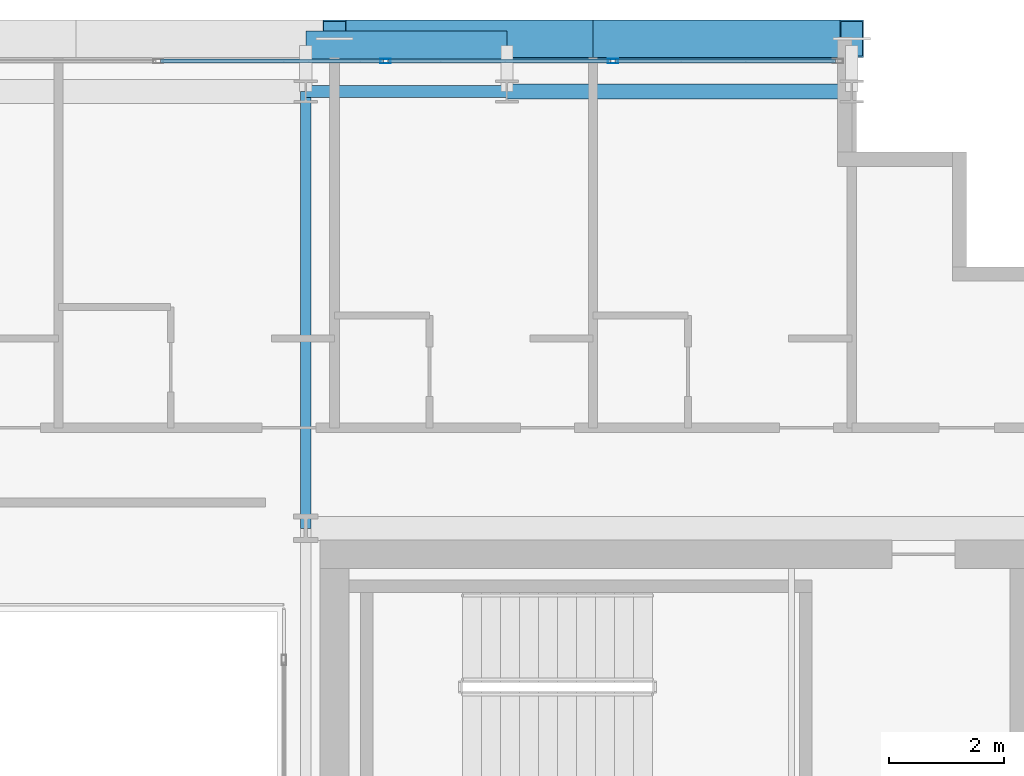
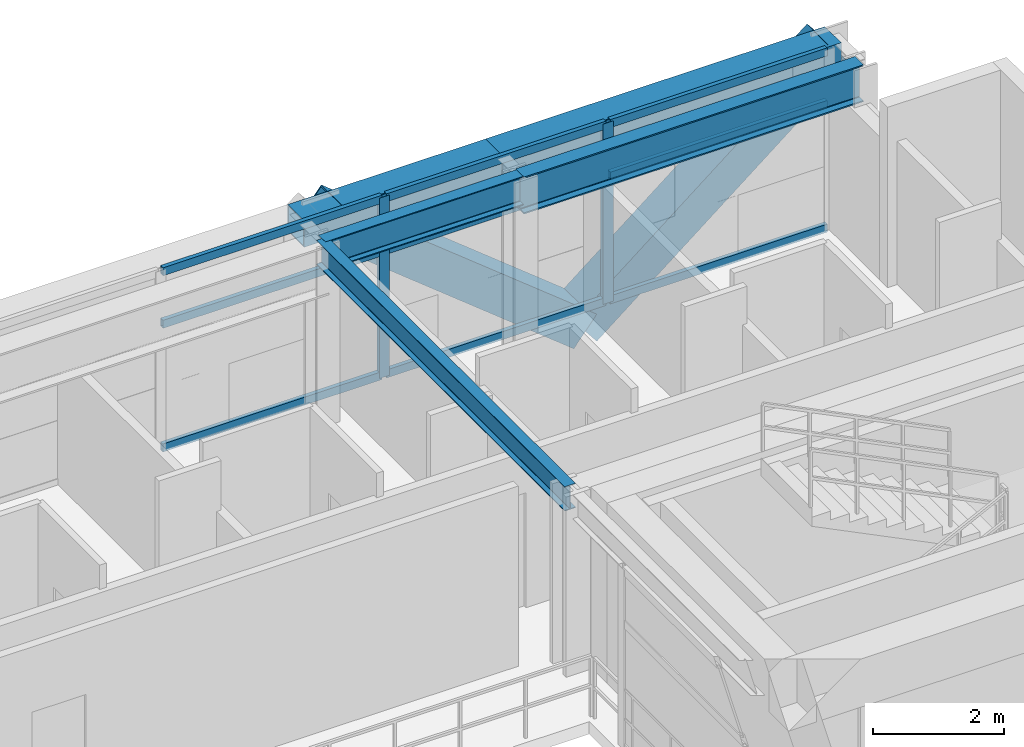
# One storey, part 22 of 38: 13 members, 5 beams, 1 element without a shape of its own.
"""IFC4 building model written with IfcOpenShell, lengths in metres."""

from ifc_helpers import new_model, si_unit, direction, frame, origin, origin_2d, place, context, subcontext, project, spatial, hollow_rectangle, i_section, extrude, source, transform, mapped, material, layer, layer_set, material_profile, profile_set, type_object, element, aggregate, save


model = new_model("IFC4")

# Units and contexts
model_context = context("Model", 3, precision=1e-05, world=origin(), true_north=direction((0.0, 1.0)))
body_context = subcontext(model_context, "Body", "Model", "MODEL_VIEW")
ifc_project = project(units=[si_unit("LENGTHUNIT", "METRE"), si_unit("AREAUNIT", "SQUARE_METRE"), si_unit("VOLUMEUNIT", "CUBIC_METRE"), si_unit("PLANEANGLEUNIT", "RADIAN"), si_unit("MASSUNIT", "GRAM", prefix="KILO")], contexts=[model_context])

# Site, building, storey
site_placement = place(None, origin())
site = spatial("IfcSite", under=ifc_project, at=site_placement, CompositionType="ELEMENT")
building_placement = place(site_placement, origin())
building = spatial("IfcBuilding", under=site, at=building_placement, Name="Ocotamira Hotel", CompositionType="ELEMENT")
storey_placement = place(building_placement, frame((0.0, 0.0, 170.39990234375)))
storey = spatial("IfcBuildingStorey", under=building, at=storey_placement, Name="L42", CompositionType="ELEMENT", Elevation=170.39990234375)

# Beams
ifc_material_1 = material(Name="Steel ASTM A992 Grade 50", Category="steel")
ifc_material_profile_1 = material_profile(ifc_material_1, i_section(OverallWidth=0.256103515625, OverallDepth=0.693115234375, WebThickness=0.014404296875, FlangeThickness=0.023681640625, FilletRadius=0.01611328125, at=origin_2d()), Name="W27X114")
ifc_profile_set_1 = profile_set([ifc_material_profile_1], Name="Steel ASTM A992 Grade 50")
beam_type_1 = type_object("IfcBeamType", Name="BM-PRIM-W27X114", PredefinedType="BEAM", material=ifc_profile_set_1)
shared_shape_1 = source(origin(), body_context, "Body", "SweptSolid", [
    extrude(i_section(OverallWidth=0.256103515625, OverallDepth=0.693115234375, WebThickness=0.014404296875, FlangeThickness=0.023681640625, FilletRadius=0.01611328125, at=origin_2d()), origin(), (0.0, 0.0, 1.0), 6.0),
])
beam_1_placement = place(storey_placement, frame((44.0, 45.050048828125, 3.023681640625), z_axis=(1.0, 0.0, 0.0), x_axis=(0.0, 1.0, 0.0)))
element("IfcBeam", 1, at=beam_1_placement, inside=storey, type_object=beam_type_1, Name="L42 Girder Y45.05 X44-50", PredefinedType="BEAM", context=body_context, shape_type="MappedRepresentation", body=[
    mapped(shared_shape_1, transform((0.0, 0.0, 0.0), scale=1.0)),
])
ifc_material_profile_2 = material_profile(ifc_material_1, i_section(OverallWidth=0.2099609375, OverallDepth=0.537109375, WebThickness=0.010986328125, FlangeThickness=0.017333984375, FilletRadius=0.012939453125, at=origin_2d()), Name="W21X68")
ifc_profile_set_2 = profile_set([ifc_material_profile_2], Name="Steel ASTM A992 Grade 50")
beam_type_2 = type_object("IfcBeamType", Name="BM-SEC-W21X68", PredefinedType="JOIST", material=ifc_profile_set_2)
shared_shape_2 = source(origin(), body_context, "Body", "SweptSolid", [
    extrude(i_section(OverallWidth=0.2099609375, OverallDepth=0.537109375, WebThickness=0.010986328125, FlangeThickness=0.017333984375, FilletRadius=0.012939453125, at=origin_2d()), origin(), (0.0, 0.0, 1.0), 3.5),
])
beam_2_placement = place(storey_placement, frame((40.5, 45.050048828125, 3.1015625), z_axis=(1.0, 0.0, 0.0), x_axis=(0.0, 1.0, 0.0)))
element("IfcBeam", 2, at=beam_2_placement, inside=storey, type_object=beam_type_2, Name="L42 Girder Y45.05 X40.5-44", PredefinedType="JOIST", context=body_context, shape_type="MappedRepresentation", body=[
    mapped(shared_shape_2, transform((0.0, 0.0, 0.0), scale=1.0)),
])
ifc_material_2 = material(Name="Steel ASTM A500 Grade C", Category="steel")
ifc_material_profile_3 = material_profile(ifc_material_2, hollow_rectangle(XDim=0.5, YDim=0.5, WallThickness=0.02001953125, at=origin_2d()), Name="HSS500X500X20")
ifc_profile_set_3 = profile_set([ifc_material_profile_3], Name="Steel ASTM A500 Grade C")
beam_type_3 = type_object("IfcBeamType", Name="BM-SPAN-HSS500", PredefinedType="USERDEFINED", material=ifc_profile_set_3)
shared_shape_3 = source(origin(), body_context, "Body", "SweptSolid", [
    extrude(hollow_rectangle(XDim=0.5, YDim=0.5, WallThickness=0.02001953125, at=origin_2d()), origin(), (0.0, 0.0, 1.0), 6.0),
])
beam_3_placement = place(storey_placement, frame((44.0, 45.85009765625, 3.1201171875), z_axis=(1.0, 0.0, 0.0), x_axis=(0.0, 1.0, 0.0)))
element("IfcBeam", 3, at=beam_3_placement, inside=storey, type_object=beam_type_3, Name="L42 Edge Spandrel N X44-50", ObjectType="SPANDREL", PredefinedType="USERDEFINED", context=body_context, shape_type="MappedRepresentation", body=[
    mapped(shared_shape_3, transform((0.0, 0.0, 0.0), scale=1.0)),
])
shared_shape_4 = source(origin(), body_context, "Body", "SweptSolid", [
    extrude(hollow_rectangle(XDim=0.5, YDim=0.5, WallThickness=0.02001953125, at=origin_2d()), origin(), (0.0, 0.0, 1.0), 3.5),
])
beam_4_placement = place(storey_placement, frame((40.5, 45.85009765625, 3.1201171875), z_axis=(1.0, 0.0, 0.0), x_axis=(0.0, 1.0, 0.0)))
element("IfcBeam", 4, at=beam_4_placement, inside=storey, type_object=beam_type_3, Name="L42 Edge Spandrel N X40.5-44", ObjectType="SPANDREL", PredefinedType="USERDEFINED", context=body_context, shape_type="MappedRepresentation", body=[
    mapped(shared_shape_4, transform((0.0, 0.0, 0.0), scale=1.0)),
])
ifc_material_profile_4 = material_profile(ifc_material_1, i_section(OverallWidth=0.18994140625, OverallDepth=0.45703125, WebThickness=0.009033203125, FlangeThickness=0.014404296875, FilletRadius=0.010009765625, at=origin_2d()), Name="W18X50")
ifc_profile_set_4 = profile_set([ifc_material_profile_4], Name="Steel ASTM A992 Grade 50")
beam_type_4 = type_object("IfcBeamType", Name="BM-SEC-W18X50", PredefinedType="JOIST", material=ifc_profile_set_4)
shared_shape_5 = source(origin(), body_context, "Body", "SweptSolid", [
    extrude(i_section(OverallWidth=0.18994140625, OverallDepth=0.45703125, WebThickness=0.009033203125, FlangeThickness=0.014404296875, FilletRadius=0.010009765625, at=origin_2d()), origin(), (0.0, 0.0, 1.0), 7.60009765625),
])
beam_5_placement = place(storey_placement, frame((40.5, 37.449951171875, 3.1416015625), z_axis=(0.0, 1.0, 0.0), x_axis=(-1.0, 0.0, 0.0)))
element("IfcBeam", 5, at=beam_5_placement, inside=storey, type_object=beam_type_4, Name="L42 Beam X40.5 Y37.45-45.05", PredefinedType="JOIST", context=body_context, shape_type="MappedRepresentation", body=[
    mapped(shared_shape_5, transform((0.0, 0.0, 0.0), scale=1.0)),
])

# Members
ifc_material_3 = material(Name="Pale-metal coated steel ASTM A913 Grade 65", Category="steel")
ifc_material_profile_5 = material_profile(ifc_material_3, hollow_rectangle(XDim=0.64990234375, YDim=0.64990234375, WallThickness=0.02197265625, at=origin_2d()), Name="BOX650X650X22")
ifc_profile_set_5 = profile_set([ifc_material_profile_5], Name="Pale-metal coated steel ASTM A913 Grade 65")
member_type_1 = type_object("IfcMemberType", Name="MEM-EXO-BOX650", PredefinedType="BRACE", material=ifc_profile_set_5)
shared_shape_6 = source(origin(), body_context, "Body", "SweptSolid", [
    extrude(hollow_rectangle(XDim=0.64990234375, YDim=0.64990234375, WallThickness=0.02197265625, at=origin_2d()), origin(), (0.0, 0.0, 1.0), 5.762939453125),
])
for number, where, z_axis, x_axis, name in (
    (6, (45.5, 45.969970703125, -0.47998046875), (-0.780860543151, 0.0, 0.624705380279), (0.0, -1.0, 0.0), "L42 Exoskeleton Diagrid N3.1"),
    (7, (45.5, 45.969970703125, -0.47998046875), (0.780860543151, 0.0, 0.624705380279), (0.0, 1.0, 0.0), "L42 Exoskeleton Diagrid N3.2"),
):
    element("IfcMember", number, at=place(storey_placement, frame(where, z_axis=z_axis, x_axis=x_axis)), inside=storey, type_object=member_type_1, Name=name, PredefinedType="BRACE", context=body_context, shape_type="MappedRepresentation", body=[
        mapped(shared_shape_6, transform((0.0, 0.0, 0.0), scale=1.0)),
    ])

# Curtain wall, members
ifc_material_4 = material(Name="Anodised pale-metal aluminium and solar glass", Category="aluminium")
ifc_layer = layer(ifc_material_4, 0.199951171875)
ifc_layer_set = layer_set([ifc_layer], Name="Anodised pale-metal aluminium and solar glass")
curtain_wall_type = type_object("IfcCurtainWallType", Name="CW-SYS4-Z3", PredefinedType="NOTDEFINED", material=ifc_layer_set)
curtain_wall_placement = place(storey_placement, origin())
curtain_wall = element("IfcCurtainWall", 8, at=curtain_wall_placement, inside=storey, type_object=curtain_wall_type, Name="L42 Curtain Wall CW-4 CW-L42-N", PredefinedType="NOTDEFINED")
ifc_material_5 = material(Name="Anodised pale-metal aluminium 6063-T6", Category="aluminium")
ifc_material_profile_6 = material_profile(ifc_material_5, hollow_rectangle(XDim=0.074951171875, YDim=0.14990234375, WallThickness=0.006103515625, at=origin_2d()), Name="HSS150X75X6")
ifc_profile_set_6 = profile_set([ifc_material_profile_6], Name="Anodised pale-metal aluminium 6063-T6")
member_type_2 = type_object("IfcMemberType", Name="CWT-150X75", PredefinedType="USERDEFINED", material=ifc_profile_set_6)
shared_shape_7 = source(origin(), body_context, "Body", "SweptSolid", [
    extrude(hollow_rectangle(XDim=0.074951171875, YDim=0.14990234375, WallThickness=0.006103515625, at=origin_2d()), origin(), (0.0, 0.0, 1.0), 3.83544921875),
])
member_1_placement = place(storey_placement, frame((45.884521484375, 45.580078125, 0.03759765625), z_axis=(1.0, 0.0, 0.0), x_axis=(0.0, 1.0, 0.0)))
member_1 = element("IfcMember", 9, at=member_1_placement, type_object=member_type_2, Name="CW-4 transom 9.1", ObjectType="TRANSOM", PredefinedType="USERDEFINED", context=body_context, shape_type="MappedRepresentation", body=[
    mapped(shared_shape_7, transform((0.0, 0.0, 0.0), scale=1.0)),
])
member_2_placement = place(storey_placement, frame((45.884521484375, 45.580078125, 2.35009765625), z_axis=(1.0, 0.0, 0.0), x_axis=(0.0, 1.0, 0.0)))
member_2 = element("IfcMember", 10, at=member_2_placement, type_object=member_type_2, Name="CW-4 transom 9.2", ObjectType="TRANSOM", PredefinedType="USERDEFINED", context=body_context, shape_type="MappedRepresentation", body=[
    mapped(shared_shape_7, transform((0.0, 0.0, 0.0), scale=1.0)),
])
member_3_placement = place(storey_placement, frame((45.884521484375, 45.580078125, 3.33251953125), z_axis=(1.0, 0.0, 0.0), x_axis=(0.0, 1.0, 0.0)))
member_3 = element("IfcMember", 11, at=member_3_placement, type_object=member_type_2, Name="CW-4 transom 9.3", ObjectType="TRANSOM", PredefinedType="USERDEFINED", context=body_context, shape_type="MappedRepresentation", body=[
    mapped(shared_shape_7, transform((0.0, 0.0, 0.0), scale=1.0)),
])
shared_shape_8 = source(origin(), body_context, "Body", "SweptSolid", [
    extrude(hollow_rectangle(XDim=0.074951171875, YDim=0.14990234375, WallThickness=0.006103515625, at=origin_2d()), origin(), (0.0, 0.0, 1.0), 3.87548828125),
])
member_4_placement = place(storey_placement, frame((37.973388671875, 45.580078125, 0.03759765625), z_axis=(1.0, 0.0, 0.0), x_axis=(0.0, 1.0, 0.0)))
member_4 = element("IfcMember", 12, at=member_4_placement, type_object=member_type_2, Name="CW-4 transom 7.1", ObjectType="TRANSOM", PredefinedType="USERDEFINED", context=body_context, shape_type="MappedRepresentation", body=[
    mapped(shared_shape_8, transform((0.0, 0.0, 0.0), scale=1.0)),
])
member_5_placement = place(storey_placement, frame((37.973388671875, 45.580078125, 2.35009765625), z_axis=(1.0, 0.0, 0.0), x_axis=(0.0, 1.0, 0.0)))
member_5 = element("IfcMember", 13, at=member_5_placement, type_object=member_type_2, Name="CW-4 transom 7.2", ObjectType="TRANSOM", PredefinedType="USERDEFINED", context=body_context, shape_type="MappedRepresentation", body=[
    mapped(shared_shape_8, transform((0.0, 0.0, 0.0), scale=1.0)),
])
member_6_placement = place(storey_placement, frame((37.973388671875, 45.580078125, 3.33251953125), z_axis=(1.0, 0.0, 0.0), x_axis=(0.0, 1.0, 0.0)))
member_6 = element("IfcMember", 14, at=member_6_placement, type_object=member_type_2, Name="CW-4 transom 7.3", ObjectType="TRANSOM", PredefinedType="USERDEFINED", context=body_context, shape_type="MappedRepresentation", body=[
    mapped(shared_shape_8, transform((0.0, 0.0, 0.0), scale=1.0)),
])
member_7_placement = place(storey_placement, frame((41.928955078125, 45.580078125, 0.03759765625), z_axis=(1.0, 0.0, 0.0), x_axis=(0.0, 1.0, 0.0)))
member_7 = element("IfcMember", 15, at=member_7_placement, type_object=member_type_2, Name="CW-4 transom 8.1", ObjectType="TRANSOM", PredefinedType="USERDEFINED", context=body_context, shape_type="MappedRepresentation", body=[
    mapped(shared_shape_8, transform((0.0, 0.0, 0.0), scale=1.0)),
])
member_8_placement = place(storey_placement, frame((41.928955078125, 45.580078125, 2.35009765625), z_axis=(1.0, 0.0, 0.0), x_axis=(0.0, 1.0, 0.0)))
member_8 = element("IfcMember", 16, at=member_8_placement, type_object=member_type_2, Name="CW-4 transom 8.2", ObjectType="TRANSOM", PredefinedType="USERDEFINED", context=body_context, shape_type="MappedRepresentation", body=[
    mapped(shared_shape_8, transform((0.0, 0.0, 0.0), scale=1.0)),
])
member_9_placement = place(storey_placement, frame((41.928955078125, 45.580078125, 3.33251953125), z_axis=(1.0, 0.0, 0.0), x_axis=(0.0, 1.0, 0.0)))
member_9 = element("IfcMember", 17, at=member_9_placement, type_object=member_type_2, Name="CW-4 transom 8.3", ObjectType="TRANSOM", PredefinedType="USERDEFINED", context=body_context, shape_type="MappedRepresentation", body=[
    mapped(shared_shape_8, transform((0.0, 0.0, 0.0), scale=1.0)),
])
ifc_material_profile_7 = material_profile(ifc_material_5, hollow_rectangle(XDim=0.080078125, YDim=0.179931640625, WallThickness=0.006103515625, at=origin_2d()), Name="HSS180X80X6")
ifc_profile_set_7 = profile_set([ifc_material_profile_7], Name="Anodised pale-metal aluminium 6063-T6")
member_type_3 = type_object("IfcMemberType", Name="CWM-180X75", PredefinedType="MULLION", material=ifc_profile_set_7)
shared_shape_9 = source(origin(), body_context, "Body", "SweptSolid", [
    extrude(hollow_rectangle(XDim=0.080078125, YDim=0.179931640625, WallThickness=0.006103515625, at=origin_2d()), origin(), (0.0, 0.0, 1.0), 3.3701171875),
])
member_10_placement = place(storey_placement, frame((41.888916015625, 45.580078125, 0.0), z_axis=(0.0, 0.0, 1.0), x_axis=(0.0, 1.0, 0.0)))
member_10 = element("IfcMember", 18, at=member_10_placement, type_object=member_type_3, Name="CW-4 mullion 8", PredefinedType="MULLION", context=body_context, shape_type="MappedRepresentation", body=[
    mapped(shared_shape_9, transform((0.0, 0.0, 0.0), scale=1.0)),
])
member_11_placement = place(storey_placement, frame((45.844482421875, 45.580078125, 0.0), z_axis=(0.0, 0.0, 1.0), x_axis=(0.0, 1.0, 0.0)))
member_11 = element("IfcMember", 19, at=member_11_placement, type_object=member_type_3, Name="CW-4 mullion 9", PredefinedType="MULLION", context=body_context, shape_type="MappedRepresentation", body=[
    mapped(shared_shape_9, transform((0.0, 0.0, 0.0), scale=1.0)),
])
aggregate(curtain_wall, [member_10, member_11, member_4, member_5, member_6, member_7, member_8, member_9, member_1, member_2, member_3])

save(model, "model.ifc")
